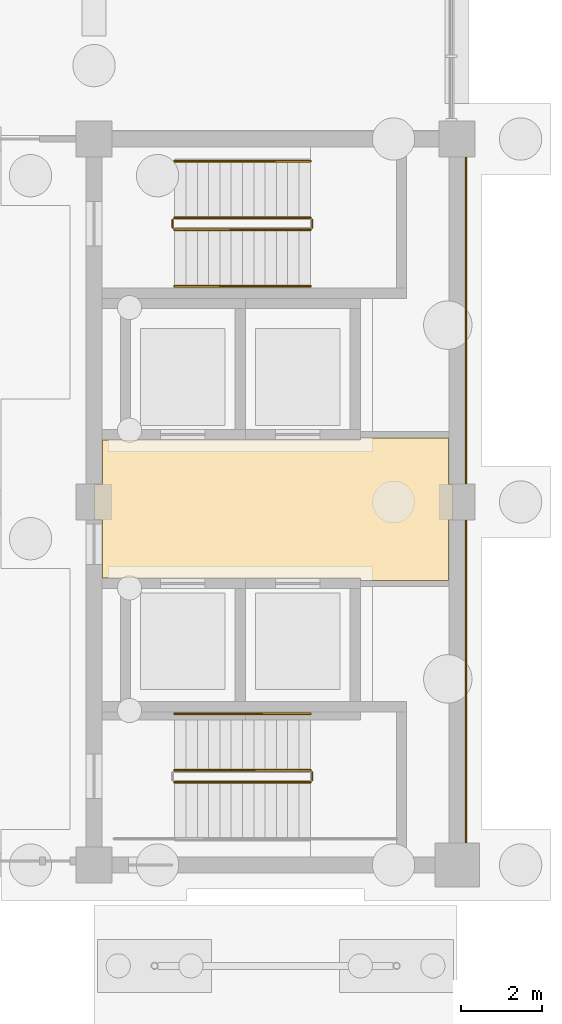
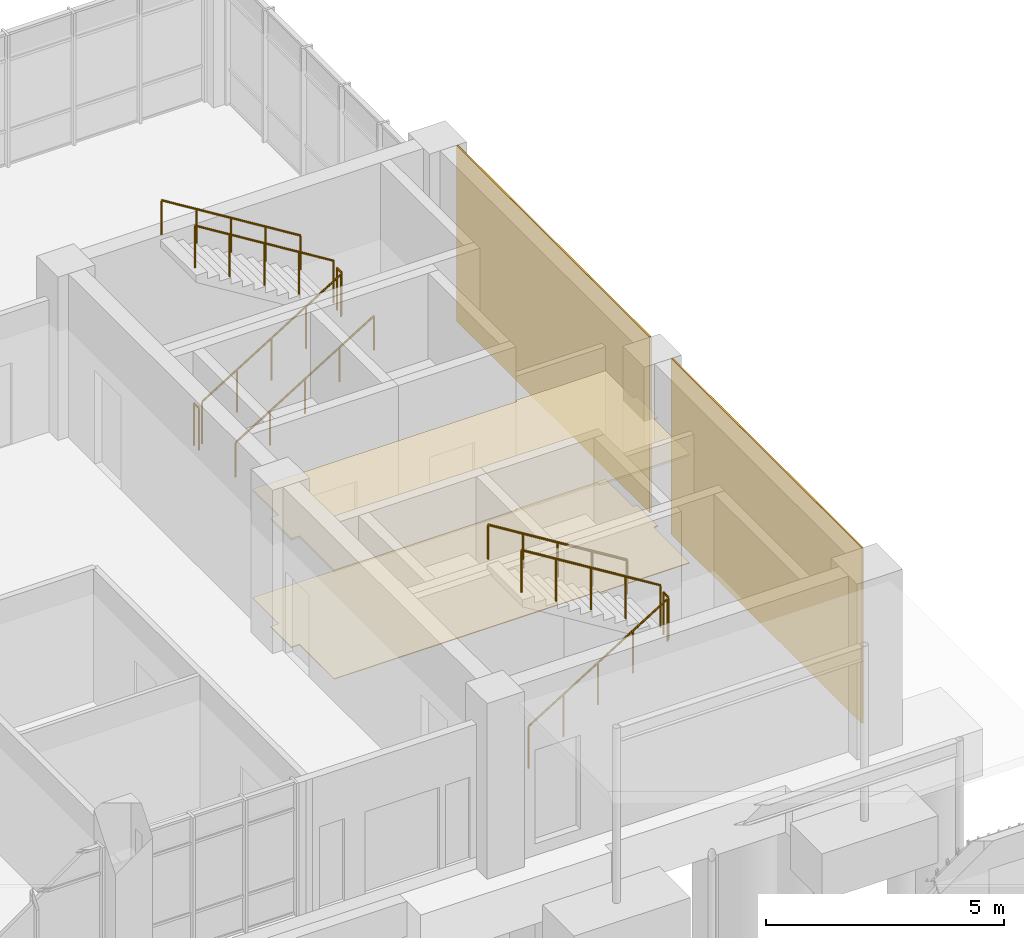
# One storey, part 103 of 106: 10 railings, 4 coverings.
"""IFC4 building model written with IfcOpenShell, lengths in metres."""

from ifc_helpers import new_model, si_unit, direction, frame, origin, origin_2d, place, context, subcontext, project, spatial, polyline, rectangle, circle, outline, extrude, material, layer, layer_set, type_object, element, save


model = new_model("IFC4")

# Units and contexts
model_context = context("Model", 3, precision=1e-05, world=origin(), true_north=direction((0.0, 1.0)))
body_context = subcontext(model_context, "Body", "Model", "MODEL_VIEW")
ifc_project = project(units=[si_unit("LENGTHUNIT", "METRE"), si_unit("AREAUNIT", "SQUARE_METRE"), si_unit("VOLUMEUNIT", "CUBIC_METRE"), si_unit("PLANEANGLEUNIT", "RADIAN"), si_unit("MASSUNIT", "GRAM", prefix="KILO")], contexts=[model_context])

# Site, building, storey
site_placement = place(None, origin())
site = spatial("IfcSite", under=ifc_project, at=site_placement, CompositionType="ELEMENT")
building_placement = place(site_placement, origin())
building = spatial("IfcBuilding", under=site, at=building_placement, Name="Merrow Basin Faculty of Sciences", CompositionType="ELEMENT")
storey_placement = place(building_placement, origin())
storey = spatial("IfcBuildingStorey", under=building, at=storey_placement, Name="L00", CompositionType="ELEMENT", Elevation=0.0)

# Covering
ifc_material_1 = material(Name="Polished terrazzo floor")
ifc_layer_1 = layer(ifc_material_1, 0.02001953125)
ifc_layer_set_1 = layer_set([ifc_layer_1], Name="Polished terrazzo floor")
covering_type_1 = type_object("IfcCoveringType", Name="Polished terrazzo floor", PredefinedType="FLOORING", material=ifc_layer_set_1)
covering_1_placement = place(storey_placement, origin())
element("IfcCovering", 1, at=covering_1_placement, inside=storey, type_object=covering_type_1, Name="Floor finish L00-T-007", PredefinedType="FLOORING", context=body_context, shape_type="SweptSolid", body=[
    extrude(outline(polyline([(45.010009765625, 151.43994140625), (45.2099609375, 151.43994140625), (45.2099609375, 152.5400390625), (51.610107421875, 152.5400390625), (51.610107421875, 152.590087890625), (53.7900390625, 152.590087890625), (53.7900390625, 151.43994140625), (53.889892578125, 151.43994140625), (53.889892578125, 150.56005859375), (53.7900390625, 150.56005859375), (53.7900390625, 149.06005859375), (51.610107421875, 149.06005859375), (51.610107421875, 149.110107421875), (45.2099609375, 149.110107421875), (45.2099609375, 150.56005859375), (45.010009765625, 150.56005859375), (45.010009765625, 151.43994140625)])), origin(), (0.0, 0.0, 1.0), 0.02001953125),
])

# Railings
ifc_material_2 = material(Name="Steel ASTM A36", Category="steel")
railing_type_1 = type_object("IfcRailingType", Name="Steel guard 1100", PredefinedType="GUARDRAIL", material=ifc_material_2)
railing_1_placement = place(storey_placement, frame((47.0, 157.75, 0.173095703125)))
element("IfcRailing", 2, at=railing_1_placement, inside=storey, type_object=railing_type_1, Name="L00 ST-V5-S stair guard 1", PredefinedType="GUARDRAIL", context=body_context, shape_type="SweptSolid", body=[
    extrude(circle(Radius=0.02392578125, at=origin_2d()), frame((0.0, 0.0, 1.076171875), z_axis=(0.850623216509, 0.0, 0.525775754039), x_axis=(0.0, 1.0, 0.0)), (0.0, 0.0, 1.0), 3.9501953125),
    extrude(circle(Radius=0.02099609375, at=origin_2d()), origin(), (0.0, 0.0, 1.0), 1.052001953125),
    extrude(circle(Radius=0.02099609375, at=origin_2d()), frame((0.840087890625, 0.0, 0.519287109375)), (0.0, 0.0, 1.0), 1.052001953125),
    extrude(circle(Radius=0.02099609375, at=origin_2d()), frame((1.68017578125, 0.0, 1.03857421875)), (0.0, 0.0, 1.0), 1.052001953125),
    extrude(circle(Radius=0.02099609375, at=origin_2d()), frame((2.52001953125, 0.0, 1.5576171875)), (0.0, 0.0, 1.0), 1.052001953125),
    extrude(circle(Radius=0.02099609375, at=origin_2d()), frame((3.360107421875, 0.0, 2.076904296875)), (0.0, 0.0, 1.0), 1.052001953125),
])
railing_2_placement = place(storey_placement, frame((50.409912109375, 157.800048828125, 2.25)))
element("IfcRailing", 3, at=railing_2_placement, inside=storey, type_object=railing_type_1, Name="L00 ST-V5-S stair guard 2", PredefinedType="GUARDRAIL", context=body_context, shape_type="SweptSolid", body=[
    extrude(circle(Radius=0.02392578125, at=origin_2d()), frame((0.0, 0.0, 1.076171875), z_axis=(0.0, 1.0, 0.0), x_axis=(-1.0, 0.0, 0.0)), (0.0, 0.0, 1.0), 0.199951171875),
    extrude(circle(Radius=0.02099609375, at=origin_2d()), origin(), (0.0, 0.0, 1.0), 1.052001953125),
    extrude(circle(Radius=0.02099609375, at=origin_2d()), frame((0.0, 0.199951171875, 0.0)), (0.0, 0.0, 1.0), 1.052001953125),
])
railing_3_placement = place(storey_placement, frame((50.360107421875, 158.050048828125, 2.423095703125)))
element("IfcRailing", 4, at=railing_3_placement, inside=storey, type_object=railing_type_1, Name="L00 ST-V5-S stair guard 3", PredefinedType="GUARDRAIL", context=body_context, shape_type="SweptSolid", body=[
    extrude(circle(Radius=0.02392578125, at=origin_2d()), frame((0.0, 0.0, 1.076171875), z_axis=(-0.850623216509, 0.0, 0.525775754039), x_axis=(0.0, -1.0, 0.0)), (0.0, 0.0, 1.0), 3.9501953125),
    extrude(circle(Radius=0.02099609375, at=origin_2d()), origin(), (0.0, 0.0, 1.0), 1.052001953125),
    extrude(circle(Radius=0.02099609375, at=origin_2d()), frame((-0.840087890625, 0.0, 0.519287109375)), (0.0, 0.0, 1.0), 1.052001953125),
    extrude(circle(Radius=0.02099609375, at=origin_2d()), frame((-1.68017578125, 0.0, 1.03857421875)), (0.0, 0.0, 1.0), 1.052001953125),
    extrude(circle(Radius=0.02099609375, at=origin_2d()), frame((-2.52001953125, 0.0, 1.5576171875)), (0.0, 0.0, 1.0), 1.052001953125),
    extrude(circle(Radius=0.02099609375, at=origin_2d()), frame((-3.360107421875, 0.0, 2.076904296875)), (0.0, 0.0, 1.0), 1.052001953125),
])
railing_4_placement = place(storey_placement, frame((46.949951171875, 157.800048828125, 0.0)))
element("IfcRailing", 5, at=railing_4_placement, inside=storey, type_object=railing_type_1, Name="L00 ST-V5-S stair guard 4", PredefinedType="GUARDRAIL", context=body_context, shape_type="SweptSolid", body=[
    extrude(circle(Radius=0.02392578125, at=origin_2d()), frame((0.0, 0.0, 1.076171875), z_axis=(0.0, 1.0, 0.0), x_axis=(-1.0, 0.0, 0.0)), (0.0, 0.0, 1.0), 0.199951171875),
    extrude(circle(Radius=0.02099609375, at=origin_2d()), origin(), (0.0, 0.0, 1.0), 1.052001953125),
    extrude(circle(Radius=0.02099609375, at=origin_2d()), frame((0.0, 0.199951171875, 0.0)), (0.0, 0.0, 1.0), 1.052001953125),
])
railing_5_placement = place(storey_placement, frame((47.0, 144.050048828125, 0.173095703125)))
element("IfcRailing", 6, at=railing_5_placement, inside=storey, type_object=railing_type_1, Name="L00 ST-V5-N stair guard 1", PredefinedType="GUARDRAIL", context=body_context, shape_type="SweptSolid", body=[
    extrude(circle(Radius=0.02392578125, at=origin_2d()), frame((0.0, 0.0, 1.076171875), z_axis=(0.850623216509, 0.0, 0.525775754039), x_axis=(0.0, 1.0, 0.0)), (0.0, 0.0, 1.0), 3.9501953125),
    extrude(circle(Radius=0.02099609375, at=origin_2d()), origin(), (0.0, 0.0, 1.0), 1.052001953125),
    extrude(circle(Radius=0.02099609375, at=origin_2d()), frame((0.840087890625, 0.0, 0.519287109375)), (0.0, 0.0, 1.0), 1.052001953125),
    extrude(circle(Radius=0.02099609375, at=origin_2d()), frame((1.68017578125, 0.0, 1.03857421875)), (0.0, 0.0, 1.0), 1.052001953125),
    extrude(circle(Radius=0.02099609375, at=origin_2d()), frame((2.52001953125, 0.0, 1.5576171875)), (0.0, 0.0, 1.0), 1.052001953125),
    extrude(circle(Radius=0.02099609375, at=origin_2d()), frame((3.360107421875, 0.0, 2.076904296875)), (0.0, 0.0, 1.0), 1.052001953125),
])
railing_6_placement = place(storey_placement, frame((50.409912109375, 144.10009765625, 2.25)))
element("IfcRailing", 7, at=railing_6_placement, inside=storey, type_object=railing_type_1, Name="L00 ST-V5-N stair guard 2", PredefinedType="GUARDRAIL", context=body_context, shape_type="SweptSolid", body=[
    extrude(circle(Radius=0.02392578125, at=origin_2d()), frame((0.0, 0.0, 1.076171875), z_axis=(0.0, 1.0, 0.0), x_axis=(-1.0, 0.0, 0.0)), (0.0, 0.0, 1.0), 0.199951171875),
    extrude(circle(Radius=0.02099609375, at=origin_2d()), origin(), (0.0, 0.0, 1.0), 1.052001953125),
    extrude(circle(Radius=0.02099609375, at=origin_2d()), frame((0.0, 0.199951171875, 0.0)), (0.0, 0.0, 1.0), 1.052001953125),
])
railing_7_placement = place(storey_placement, frame((50.360107421875, 144.35009765625, 2.423095703125)))
element("IfcRailing", 8, at=railing_7_placement, inside=storey, type_object=railing_type_1, Name="L00 ST-V5-N stair guard 4", PredefinedType="GUARDRAIL", context=body_context, shape_type="SweptSolid", body=[
    extrude(circle(Radius=0.02392578125, at=origin_2d()), frame((0.0, 0.0, 1.076171875), z_axis=(-0.850623216509, 0.0, 0.525775754039), x_axis=(0.0, -1.0, 0.0)), (0.0, 0.0, 1.0), 3.9501953125),
    extrude(circle(Radius=0.02099609375, at=origin_2d()), origin(), (0.0, 0.0, 1.0), 1.052001953125),
    extrude(circle(Radius=0.02099609375, at=origin_2d()), frame((-0.840087890625, 0.0, 0.519287109375)), (0.0, 0.0, 1.0), 1.052001953125),
    extrude(circle(Radius=0.02099609375, at=origin_2d()), frame((-1.68017578125, 0.0, 1.03857421875)), (0.0, 0.0, 1.0), 1.052001953125),
    extrude(circle(Radius=0.02099609375, at=origin_2d()), frame((-2.52001953125, 0.0, 1.5576171875)), (0.0, 0.0, 1.0), 1.052001953125),
    extrude(circle(Radius=0.02099609375, at=origin_2d()), frame((-3.360107421875, 0.0, 2.076904296875)), (0.0, 0.0, 1.0), 1.052001953125),
])
ifc_material_3 = material(Name="Steel ASTM A36", Category="steel")
railing_type_2 = type_object("IfcRailingType", Name="Steel handrail 900", PredefinedType="HANDRAIL", material=ifc_material_3)
railing_8_placement = place(storey_placement, frame((47.0, 156.35009765625, 0.173095703125)))
element("IfcRailing", 9, at=railing_8_placement, inside=storey, type_object=railing_type_2, Name="L00 ST-V5-S stair handrail 1", PredefinedType="HANDRAIL", context=body_context, shape_type="SweptSolid", body=[
    extrude(circle(Radius=0.02392578125, at=origin_2d()), frame((0.0, 0.0, 0.8759765625), z_axis=(0.850623216509, 0.0, 0.525775754039), x_axis=(0.0, 1.0, 0.0)), (0.0, 0.0, 1.0), 3.9501953125),
    extrude(circle(Radius=0.02099609375, at=origin_2d()), origin(), (0.0, 0.0, 1.0), 0.851806640625),
    extrude(circle(Radius=0.02099609375, at=origin_2d()), frame((0.840087890625, 0.0, 0.519287109375)), (0.0, 0.0, 1.0), 0.851806640625),
    extrude(circle(Radius=0.02099609375, at=origin_2d()), frame((1.68017578125, 0.0, 1.03857421875)), (0.0, 0.0, 1.0), 0.851806640625),
    extrude(circle(Radius=0.02099609375, at=origin_2d()), frame((2.52001953125, 0.0, 1.5576171875)), (0.0, 0.0, 1.0), 0.851806640625),
    extrude(circle(Radius=0.02099609375, at=origin_2d()), frame((3.360107421875, 0.0, 2.076904296875)), (0.0, 0.0, 1.0), 0.851806640625),
])
for number, where, name in (
    (10, (50.360107421875, 159.449951171875, 2.423095703125), "L00 ST-V5-S stair handrail 2"),
    (11, (50.360107421875, 145.75, 2.423095703125), "L00 ST-V5-N stair handrail 2"),
):
    element("IfcRailing", number, at=place(storey_placement, frame(where)), inside=storey, type_object=railing_type_2, Name=name, PredefinedType="HANDRAIL", context=body_context, shape_type="SweptSolid", body=[
        extrude(circle(Radius=0.02392578125, at=origin_2d()), frame((0.0, 0.0, 0.8759765625), z_axis=(-0.850623216509, 0.0, 0.525775754039), x_axis=(0.0, -1.0, 0.0)), (0.0, 0.0, 1.0), 3.9501953125),
        extrude(circle(Radius=0.02099609375, at=origin_2d()), origin(), (0.0, 0.0, 1.0), 0.851806640625),
        extrude(circle(Radius=0.02099609375, at=origin_2d()), frame((-0.840087890625, 0.0, 0.519287109375)), (0.0, 0.0, 1.0), 0.851806640625),
        extrude(circle(Radius=0.02099609375, at=origin_2d()), frame((-1.68017578125, 0.0, 1.03857421875)), (0.0, 0.0, 1.0), 0.851806640625),
        extrude(circle(Radius=0.02099609375, at=origin_2d()), frame((-2.52001953125, 0.0, 1.5576171875)), (0.0, 0.0, 1.0), 0.851806640625),
        extrude(circle(Radius=0.02099609375, at=origin_2d()), frame((-3.360107421875, 0.0, 2.076904296875)), (0.0, 0.0, 1.0), 0.851806640625),
    ])

# Coverings
ifc_material_4 = material(Name="Mineral fibre ceiling tile")
ifc_layer_2 = layer(ifc_material_4, 0.050048828125)
ifc_layer_set_2 = layer_set([ifc_layer_2], Name="Suspended acoustic ceiling tile")
covering_type_2 = type_object("IfcCoveringType", Name="Suspended acoustic ceiling tile", PredefinedType="CEILING", material=ifc_layer_set_2)
covering_2_placement = place(storey_placement, frame((0.0, 0.0, 2.75)))
element("IfcCovering", 12, at=covering_2_placement, inside=storey, type_object=covering_type_2, Name="Ceiling L00-T-007", PredefinedType="CEILING", context=body_context, shape_type="SweptSolid", body=[
    extrude(outline(polyline([(45.010009765625, 151.43994140625), (45.2099609375, 151.43994140625), (45.2099609375, 152.5400390625), (51.610107421875, 152.5400390625), (51.610107421875, 152.590087890625), (53.7900390625, 152.590087890625), (53.7900390625, 151.43994140625), (53.889892578125, 151.43994140625), (53.889892578125, 150.56005859375), (53.7900390625, 150.56005859375), (53.7900390625, 149.06005859375), (51.610107421875, 149.06005859375), (51.610107421875, 149.110107421875), (45.2099609375, 149.110107421875), (45.2099609375, 150.56005859375), (45.010009765625, 150.56005859375), (45.010009765625, 151.43994140625)])), origin(), (0.0, 0.0, 1.0), 0.050048828125),
])
ifc_material_5 = material(Name="White powder-coated aluminium", Category="aluminium")
ifc_layer_3 = layer(ifc_material_5, 0.0400390625)
ifc_layer_set_3 = layer_set([ifc_layer_3], Name="White precast cladding 40")
covering_type_3 = type_object("IfcCoveringType", Name="White precast cladding 40", PredefinedType="CLADDING", material=ifc_layer_set_3)
covering_3_placement = place(storey_placement, frame((54.219970703125, 155.5, -0.300048828125), z_axis=(0.0, 0.0, 1.0), x_axis=(1.0, 0.0, 0.0)))
element("IfcCovering", 13, at=covering_3_placement, inside=storey, type_object=covering_type_3, Name="White core cladding", PredefinedType="CLADDING", context=body_context, shape_type="SweptSolid", body=[
    extrude(rectangle(XDim=0.0400390625, YDim=8.10009765625, at=origin_2d()), origin(), (0.0, 0.0, 1.0), 4.5),
])
covering_4_placement = place(storey_placement, frame((54.219970703125, 146.550048828125, -0.300048828125), z_axis=(0.0, 0.0, 1.0), x_axis=(1.0, 0.0, 0.0)))
element("IfcCovering", 14, at=covering_4_placement, inside=storey, type_object=covering_type_3, Name="White core cladding", PredefinedType="CLADDING", context=body_context, shape_type="SweptSolid", body=[
    extrude(rectangle(XDim=0.0400390625, YDim=8.0, at=origin_2d()), origin(), (0.0, 0.0, 1.0), 4.5),
])

save(model, "model.ifc")
